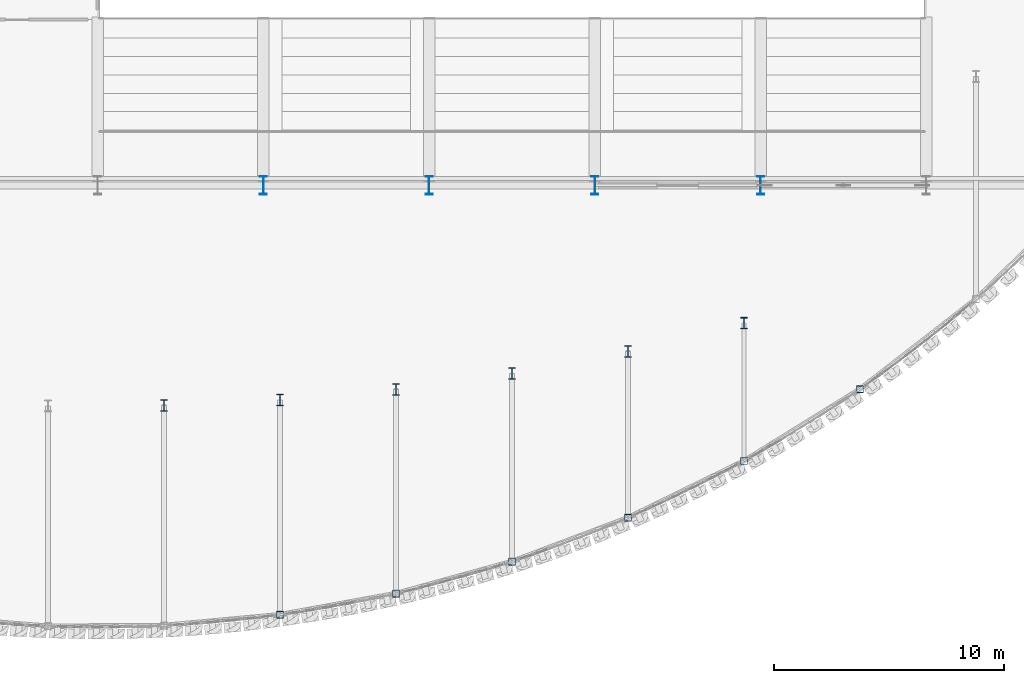
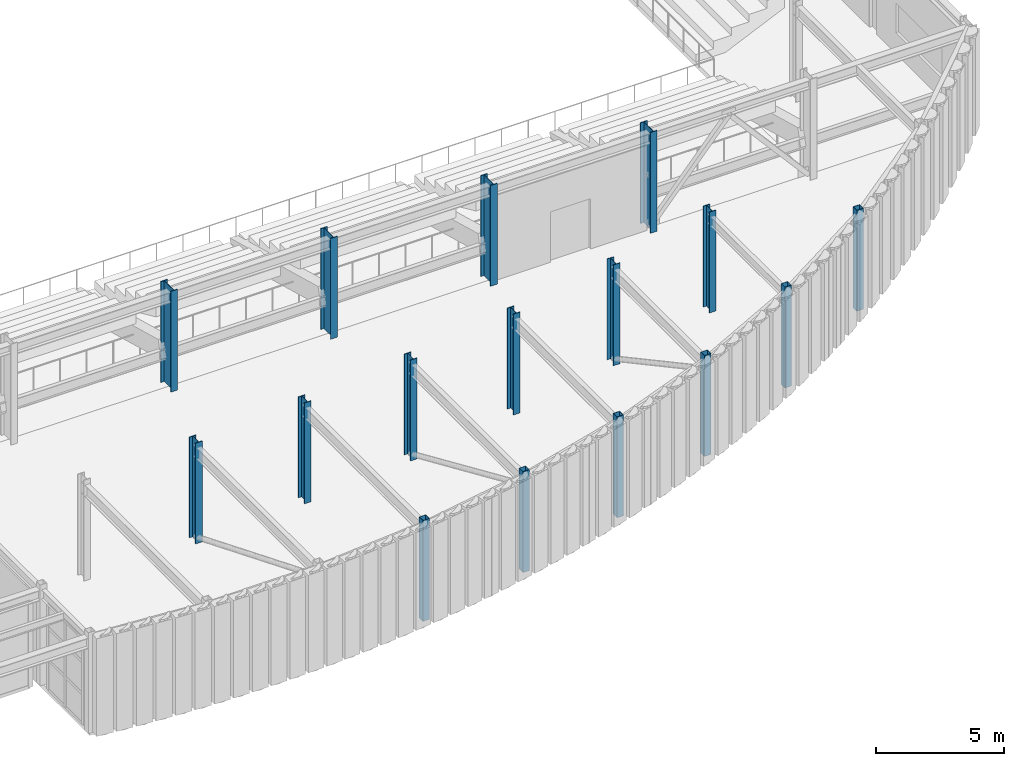
# One storey, part 5 of 121: 16 columns.
"""IFC4 building model written with IfcOpenShell, lengths in metres."""

from ifc_helpers import new_model, si_unit, direction, frame, origin, origin_2d, place, context, subcontext, project, spatial, hollow_rectangle, i_section, extrude, material, material_profile, profile_set, type_object, element, save


model = new_model("IFC4")

# Units and contexts
model_context = context("Model", 3, precision=1e-05, world=origin(), true_north=direction((0.0, 1.0)))
body_context = subcontext(model_context, "Body", "Model", "MODEL_VIEW")
ifc_project = project(units=[si_unit("LENGTHUNIT", "METRE"), si_unit("AREAUNIT", "SQUARE_METRE"), si_unit("VOLUMEUNIT", "CUBIC_METRE"), si_unit("PLANEANGLEUNIT", "RADIAN"), si_unit("MASSUNIT", "GRAM", prefix="KILO")], contexts=[model_context])

# Site, building, storey
site_placement = place(None, origin())
site = spatial("IfcSite", under=ifc_project, at=site_placement, CompositionType="ELEMENT")
building_placement = place(site_placement, origin())
building = spatial("IfcBuilding", under=site, at=building_placement, Name="Solvadek Multi-Sports Hall", CompositionType="ELEMENT")
storey_placement = place(building_placement, frame((0.0, 0.0, 4.800048828125)))
storey = spatial("IfcBuildingStorey", under=building, at=storey_placement, Name="L01", CompositionType="ELEMENT", Elevation=4.800048828125)

# Columns
ifc_material = material(Name="Steel E350 (350 MPa)", Category="steel")
ifc_material_profile_1 = material_profile(ifc_material, hollow_rectangle(XDim=0.300048828125, YDim=0.300048828125, WallThickness=0.012451171875, at=origin_2d()), Name="SHS 300x300x12.5")
ifc_profile_set_1 = profile_set([ifc_material_profile_1], Name="Steel E350 (350 MPa)")
column_type_1 = type_object("IfcColumnType", Name="STR-COL-SHS300", PredefinedType="COLUMN", material=ifc_profile_set_1)
for number, where, z_axis, x_axis, name in (
    (1, (101.52001953125, -12.65869140625, 0.0), (0.0, 0.0, 1.0), (1.0, 0.0, 0.0), "L01 Column C-10 #296"),
    (2, (106.56005859375, -11.73876953125, 0.0), (0.0, 0.0, 1.0), (1.0, 0.0, 0.0), "L01 Column C-10 #298"),
    (3, (111.60009765625, -10.346435546875, 0.0), (0.0, 0.0, 1.0), (1.0, 0.0, 0.0), "L01 Column C-10 #300"),
    (4, (116.639892578125, -8.4453125, 0.0), (0.0, 0.0, 1.0), (1.0, 0.0, 0.0), "L01 Column C-10 #302"),
    (5, (121.679931640625, -5.97802734375, 0.0), (0.0, 0.0, 1.0), (1.0, 0.0, 0.0), "L01 Column C-10 #304"),
    (6, (126.719970703125, -2.857177734375, 0.0), (0.0, 0.0, 1.0), (1.0, 0.0, 0.0), "L01 Column C-10 #306"),
):
    element("IfcColumn", number, at=place(storey_placement, frame(where, z_axis=z_axis, x_axis=x_axis)), inside=storey, type_object=column_type_1, Name=name, PredefinedType="COLUMN", context=body_context, shape_type="SweptSolid", body=[
        extrude(hollow_rectangle(XDim=0.300048828125, YDim=0.300048828125, WallThickness=0.012451171875, at=origin_2d()), origin(), (0.0, 0.0, 1.0), 4.800048828125),
    ])
ifc_material_profile_2 = material_profile(ifc_material, i_section(OverallWidth=0.300048828125, OverallDepth=0.5, WebThickness=0.014404296875, FlangeThickness=0.028076171875, at=origin_2d()), Name="WPB 500")
ifc_profile_set_2 = profile_set([ifc_material_profile_2], Name="Steel E350 (350 MPa)")
column_type_2 = type_object("IfcColumnType", Name="STR-COL-WPB500", PredefinedType="COLUMN", material=ifc_profile_set_2)
for number, where, z_axis, x_axis, name in (
    (7, (96.47998046875, -3.564453125, 0.0), (0.0, 0.0, 1.0), (1.0, 0.0, 0.0), "L01 Column C-05 #295"),
    (8, (101.52001953125, -3.329345703125, 0.0), (0.0, 0.0, 1.0), (1.0, 0.0, 0.0), "L01 Column C-05 #297"),
    (9, (106.56005859375, -2.869384765625, 0.0), (0.0, 0.0, 1.0), (1.0, 0.0, 0.0), "L01 Column C-05 #299"),
    (10, (111.60009765625, -2.17333984375, 0.0), (0.0, 0.0, 1.0), (1.0, 0.0, 0.0), "L01 Column C-05 #301"),
    (11, (116.639892578125, -1.22265625, 0.0), (0.0, 0.0, 1.0), (1.0, 0.0, 0.0), "L01 Column C-05 #303"),
    (12, (121.679931640625, 0.010986328125, 0.0), (0.0, 0.0, 1.0), (1.0, 0.0, 0.0), "L01 Column C-05 #305"),
):
    element("IfcColumn", number, at=place(storey_placement, frame(where, z_axis=z_axis, x_axis=x_axis)), inside=storey, type_object=column_type_2, Name=name, PredefinedType="COLUMN", context=body_context, shape_type="SweptSolid", body=[
        extrude(i_section(OverallWidth=0.300048828125, OverallDepth=0.5, WebThickness=0.014404296875, FlangeThickness=0.028076171875, at=origin_2d()), origin(), (0.0, 0.0, 1.0), 4.800048828125),
    ])
ifc_material_profile_3 = material_profile(ifc_material, i_section(OverallWidth=0.300048828125, OverallDepth=0.800048828125, WebThickness=0.017578125, FlangeThickness=0.032958984375, at=origin_2d()), Name="WPB 800")
ifc_profile_set_3 = profile_set([ifc_material_profile_3], Name="Steel E350 (350 MPa)")
column_type_3 = type_object("IfcColumnType", Name="STR-COL-WPB800", PredefinedType="COLUMN", material=ifc_profile_set_3)
for number, where, z_axis, x_axis, name in (
    (13, (100.800048828125, 6.0, 0.0), (0.0, 0.0, 1.0), (1.0, 0.0, 0.0), "L01 Column C-01 #198"),
    (14, (108.0, 6.0, 0.0), (0.0, 0.0, 1.0), (1.0, 0.0, 0.0), "L01 Column C-01 #206"),
    (15, (115.199951171875, 6.0, 0.0), (0.0, 0.0, 1.0), (1.0, 0.0, 0.0), "L01 Column C-01 #214"),
    (16, (122.39990234375, 6.0, 0.0), (0.0, 0.0, 1.0), (1.0, 0.0, 0.0), "L01 Column C-01 #222"),
):
    element("IfcColumn", number, at=place(storey_placement, frame(where, z_axis=z_axis, x_axis=x_axis)), inside=storey, type_object=column_type_3, Name=name, PredefinedType="COLUMN", context=body_context, shape_type="SweptSolid", body=[
        extrude(i_section(OverallWidth=0.300048828125, OverallDepth=0.800048828125, WebThickness=0.017578125, FlangeThickness=0.032958984375, at=origin_2d()), origin(), (0.0, 0.0, 1.0), 4.800048828125),
    ])

save(model, "model.ifc")
